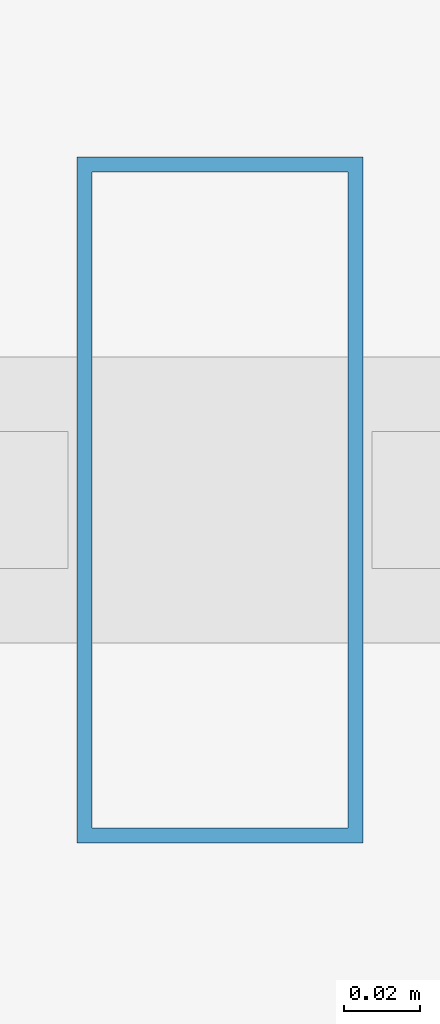
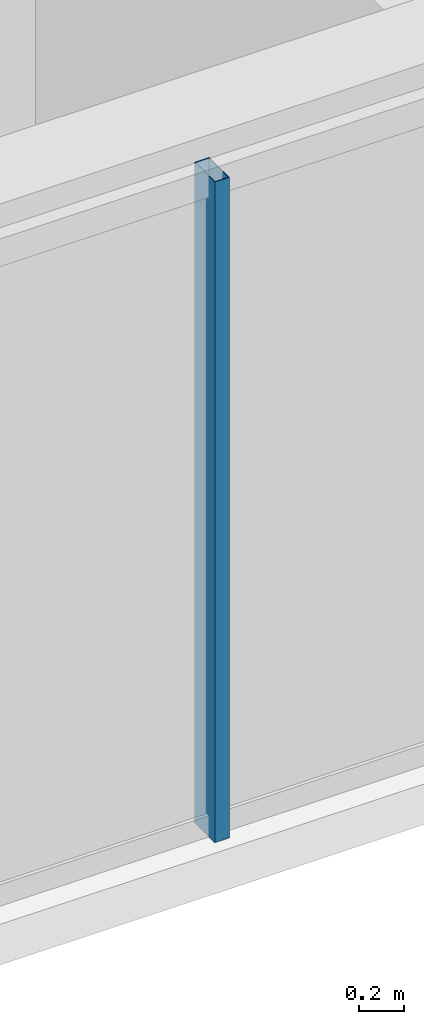
# One storey, part 4 of 31: 1 member, 1 element without a shape of its own.
"""IFC4 building model written with IfcOpenShell, lengths in metres."""

from ifc_helpers import new_model, si_unit, direction, frame, origin, origin_2d, place, context, subcontext, project, spatial, hollow_rectangle, extrude, material, layer, layer_set, material_profile, profile_set, type_object, element, aggregate, save


model = new_model("IFC4")

# Units and contexts
model_context = context("Model", 3, precision=1e-05, world=origin(), true_north=direction((0.0, 1.0)))
body_context = subcontext(model_context, "Body", "Model", "MODEL_VIEW")
ifc_project = project(units=[si_unit("LENGTHUNIT", "METRE"), si_unit("AREAUNIT", "SQUARE_METRE"), si_unit("VOLUMEUNIT", "CUBIC_METRE"), si_unit("PLANEANGLEUNIT", "RADIAN"), si_unit("MASSUNIT", "GRAM", prefix="KILO")], contexts=[model_context])

# Site, building, storey
site_placement = place(None, origin())
site = spatial("IfcSite", under=ifc_project, at=site_placement, CompositionType="ELEMENT")
building_placement = place(site_placement, origin())
building = spatial("IfcBuilding", under=site, at=building_placement, Name="Ndaravel Arena Tower", CompositionType="ELEMENT")
storey_placement = place(building_placement, frame((0.0, 0.0, 138.39990234375)))
storey = spatial("IfcBuildingStorey", under=building, at=storey_placement, Name="L32", CompositionType="ELEMENT", Elevation=138.39990234375)

# Curtain wall, member
ifc_material_1 = material(Name="Aluminium", Category="aluminium")
ifc_layer = layer(ifc_material_1, 0.179931640625)
ifc_layer_set = layer_set([ifc_layer], Name="Aluminium")
curtain_wall_type = type_object("IfcCurtainWallType", Name="CW-SYS-03", PredefinedType="NOTDEFINED", material=ifc_layer_set)
curtain_wall_placement = place(storey_placement, origin())
curtain_wall = element("IfcCurtainWall", 1, at=curtain_wall_placement, inside=storey, type_object=curtain_wall_type, Name="L32 Faceted Crystal Curtain Wall CW-L32-E01", PredefinedType="NOTDEFINED")
ifc_material_2 = material(Name="Aluminium", Category="aluminium")
ifc_material_profile = material_profile(ifc_material_2, hollow_rectangle(XDim=0.074951171875, YDim=0.179931640625, WallThickness=0.00390625, at=origin_2d()), Name="CW MULLION 75x180x4")
ifc_profile_set = profile_set([ifc_material_profile], Name="Aluminium")
member_type = type_object("IfcMemberType", Name="MEM-CW-MUL180", PredefinedType="MULLION", material=ifc_profile_set)
member_placement = place(storey_placement, frame((33.119873046875, 5.159912109375, 0.0), z_axis=(0.0, 0.0, 1.0), x_axis=(1.0, 0.0, 0.0)))
member = element("IfcMember", 2, at=member_placement, type_object=member_type, Name="CW-L32-E01 Mullion 02", PredefinedType="MULLION", context=body_context, shape_type="SweptSolid", body=[
    extrude(hollow_rectangle(XDim=0.074951171875, YDim=0.179931640625, WallThickness=0.00390625, at=origin_2d()), origin(), (0.0, 0.0, 1.0), 3.580078125),
])
aggregate(curtain_wall, [member])

save(model, "model.ifc")
